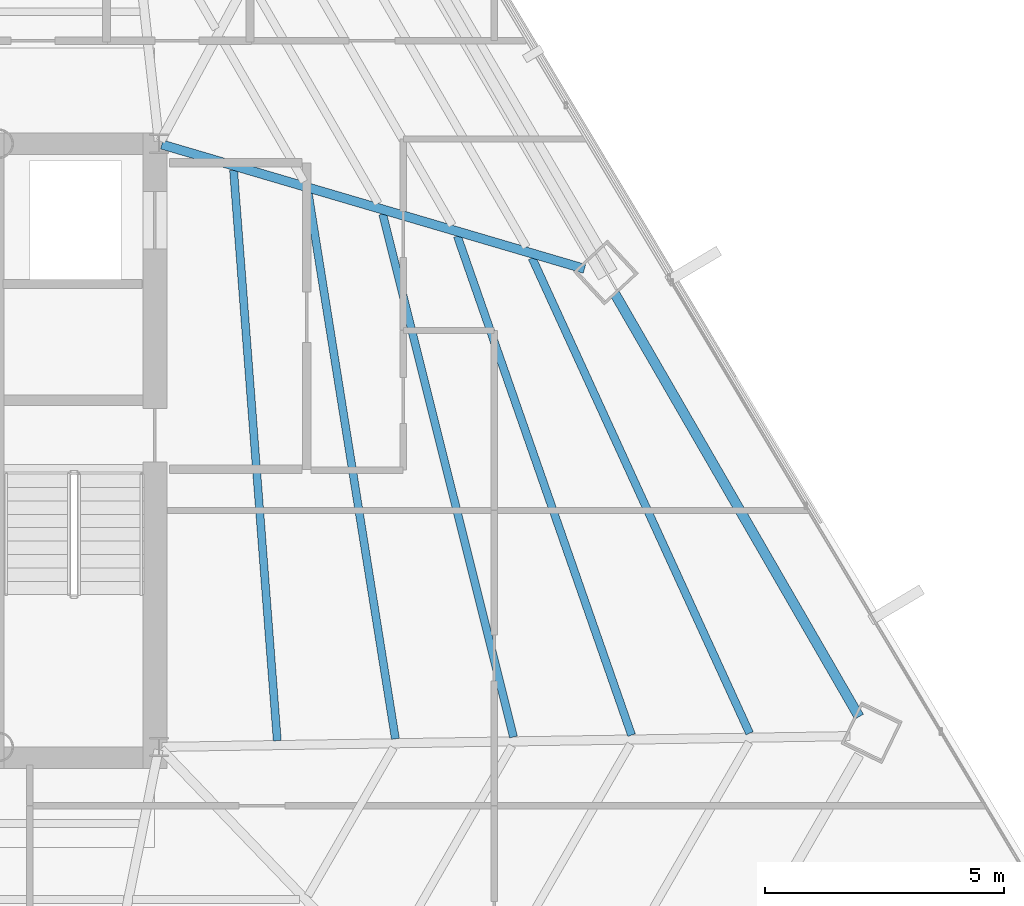
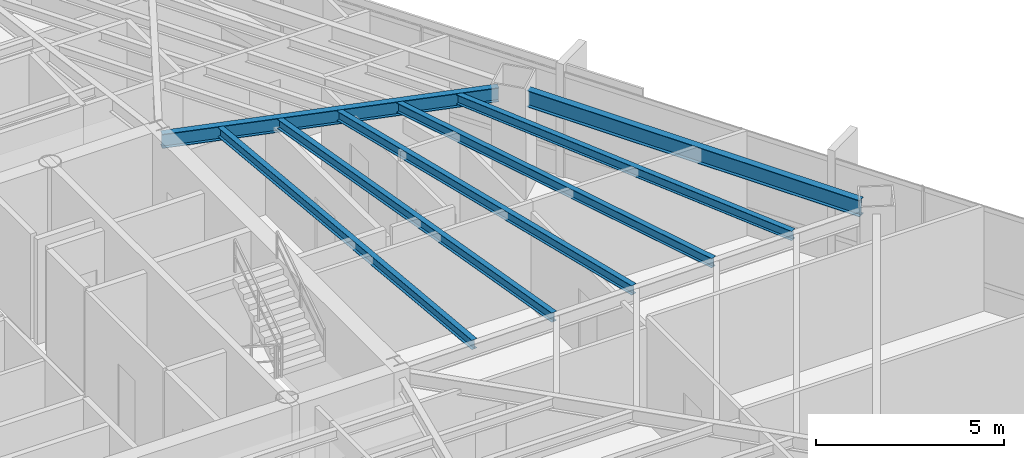
# One storey, part 21 of 40: 7 beams.
"""IFC4 building model written with IfcOpenShell, lengths in metres."""

from ifc_helpers import new_model, si_unit, direction, frame, origin, origin_2d, place, context, subcontext, project, spatial, i_section, extrude, source, transform, mapped, material, material_profile, profile_set, type_object, type_shapes, element, save


model = new_model("IFC4")

# Units and contexts
model_context = context("Model", 3, precision=1e-05, world=origin(), true_north=direction((0.0, 1.0)))
body_context = subcontext(model_context, "Body", "Model", "MODEL_VIEW")
ifc_project = project(units=[si_unit("LENGTHUNIT", "METRE"), si_unit("AREAUNIT", "SQUARE_METRE"), si_unit("VOLUMEUNIT", "CUBIC_METRE"), si_unit("PLANEANGLEUNIT", "RADIAN"), si_unit("MASSUNIT", "GRAM", prefix="KILO")], contexts=[model_context])

# Site, building, storey
site_placement = place(None, origin())
site = spatial("IfcSite", under=ifc_project, at=site_placement, CompositionType="ELEMENT")
building_placement = place(site_placement, origin())
building = spatial("IfcBuilding", under=site, at=building_placement, Name="Caelisora Broadcast Tower", CompositionType="ELEMENT")
storey_placement = place(building_placement, frame((0.0, 0.0, 176.75)))
storey = spatial("IfcBuildingStorey", under=building, at=storey_placement, Name="L46", CompositionType="ELEMENT", Elevation=176.75)

# Beams
ifc_material = material(Name="Steel Grade 350 (AS/NZS 3679.1)", Category="steel")
ifc_material_profile_1 = material_profile(ifc_material, i_section(OverallWidth=0.208984375, OverallDepth=0.532958984375, WebThickness=0.01025390625, FlangeThickness=0.015625, at=origin_2d()), Name="Steel Grade 350 (AS/NZS 3679.1)")
ifc_profile_set_1 = profile_set([ifc_material_profile_1], Name="Steel Grade 350 (AS/NZS 3679.1)")
beam_type_1 = type_object("IfcBeamType", Name="PG05", PredefinedType="BEAM", material=ifc_profile_set_1)
shared_shape_1 = source(origin(), body_context, "Body", "SweptSolid", [
    extrude(i_section(OverallWidth=0.208984375, OverallDepth=0.532958984375, WebThickness=0.01025390625, FlangeThickness=0.015625, at=origin_2d()), origin(), (0.0, 0.0, 1.0), 10.20654296875),
])
type_shapes(beam_type_1, [shared_shape_1])
beam_1_placement = place(storey_placement, frame((60.12158203125, 18.031005859375, 3.133544921875), z_axis=(-0.500000601062, 0.866025056761, 0.0), x_axis=(-0.866025056761, -0.500000601062, 0.0)))
element("IfcBeam", 1, at=beam_1_placement, inside=storey, type_object=beam_type_1, Name="L46 beam PG05", PredefinedType="BEAM", context=body_context, shape_type="MappedRepresentation", body=[
    mapped(shared_shape_1, transform((0.0, 0.0, 0.0), scale=1.0)),
])
ifc_material_profile_2 = material_profile(ifc_material, i_section(OverallWidth=0.19091796875, OverallDepth=0.46044921875, WebThickness=0.010009765625, FlangeThickness=0.01611328125, at=origin_2d()), Name="Steel Grade 350 (AS/NZS 3679.1)")
ifc_profile_set_2 = profile_set([ifc_material_profile_2], Name="Steel Grade 350 (AS/NZS 3679.1)")
beam_type_2 = type_object("IfcBeamType", Name="PG06", PredefinedType="BEAM", material=ifc_profile_set_2)
shared_shape_2 = source(origin(), body_context, "Body", "SweptSolid", [
    extrude(i_section(OverallWidth=0.19091796875, OverallDepth=0.46044921875, WebThickness=0.010009765625, FlangeThickness=0.01611328125, at=origin_2d()), origin(), (0.0, 0.0, 1.0), 9.20166015625),
])
type_shapes(beam_type_2, [shared_shape_2])
beam_2_placement = place(storey_placement, frame((45.5576171875, 29.983154296875, 3.169921875), z_axis=(0.959379864926, -0.282117483994, 0.0), x_axis=(0.282117483994, 0.959379864926, 0.0)))
element("IfcBeam", 2, at=beam_2_placement, inside=storey, type_object=beam_type_2, Name="L46 beam PG06", PredefinedType="BEAM", context=body_context, shape_type="MappedRepresentation", body=[
    mapped(shared_shape_2, transform((0.0, 0.0, 0.0), scale=1.0)),
])
ifc_material_profile_3 = material_profile(ifc_material, i_section(OverallWidth=0.166015625, OverallDepth=0.30712890625, WebThickness=0.006591796875, FlangeThickness=0.01171875, at=origin_2d()), Name="Steel Grade 350 (AS/NZS 3679.1)")
ifc_profile_set_3 = profile_set([ifc_material_profile_3], Name="Steel Grade 350 (AS/NZS 3679.1)")
beam_type_3 = type_object("IfcBeamType", Name="SB03", PredefinedType="JOIST", material=ifc_profile_set_3)
shared_shape_3 = source(origin(), body_context, "Body", "SweptSolid", [
    extrude(i_section(OverallWidth=0.166015625, OverallDepth=0.30712890625, WebThickness=0.006591796875, FlangeThickness=0.01171875, at=origin_2d()), origin(), (0.0, 0.0, 1.0), 11.94970703125),
])
beam_3_placement = place(storey_placement, frame((47.96826171875, 17.53125, 3.246337890625), z_axis=(-0.076369964082, 0.997079549778, 0.0), x_axis=(-0.997079549778, -0.076369964082, 0.0)))
element("IfcBeam", 3, at=beam_3_placement, inside=storey, type_object=beam_type_3, Name="L46 beam SB03", PredefinedType="JOIST", context=body_context, shape_type="MappedRepresentation", body=[
    mapped(shared_shape_3, transform((0.0, 0.0, 0.0), scale=1.0)),
])
shared_shape_4 = source(origin(), body_context, "Body", "SweptSolid", [
    extrude(i_section(OverallWidth=0.166015625, OverallDepth=0.30712890625, WebThickness=0.006591796875, FlangeThickness=0.01171875, at=origin_2d()), origin(), (0.0, 0.0, 1.0), 11.56298828125),
])
beam_4_placement = place(storey_placement, frame((50.435791015625, 17.56982421875, 3.246337890625), z_axis=(-0.157701451424, 0.987486836479, 0.0), x_axis=(-0.987486836479, -0.157701451424, 0.0)))
element("IfcBeam", 4, at=beam_4_placement, inside=storey, type_object=beam_type_3, Name="L46 beam SB03", PredefinedType="JOIST", context=body_context, shape_type="MappedRepresentation", body=[
    mapped(shared_shape_4, transform((0.0, 0.0, 0.0), scale=1.0)),
])
shared_shape_5 = source(origin(), body_context, "Body", "SweptSolid", [
    extrude(i_section(OverallWidth=0.166015625, OverallDepth=0.30712890625, WebThickness=0.006591796875, FlangeThickness=0.01171875, at=origin_2d()), origin(), (0.0, 0.0, 1.0), 11.258056640625),
])
beam_5_placement = place(storey_placement, frame((52.90283203125, 17.6083984375, 3.246337890625), z_axis=(-0.242709108727, 0.970099112741, 0.0), x_axis=(-0.970099112741, -0.242709108727, 0.0)))
element("IfcBeam", 5, at=beam_5_placement, inside=storey, type_object=beam_type_3, Name="L46 beam SB03", PredefinedType="JOIST", context=body_context, shape_type="MappedRepresentation", body=[
    mapped(shared_shape_5, transform((0.0, 0.0, 0.0), scale=1.0)),
])
shared_shape_6 = source(origin(), body_context, "Body", "SweptSolid", [
    extrude(i_section(OverallWidth=0.166015625, OverallDepth=0.30712890625, WebThickness=0.006591796875, FlangeThickness=0.01171875, at=origin_2d()), origin(), (0.0, 0.0, 1.0), 11.040771484375),
])
beam_6_placement = place(storey_placement, frame((55.368896484375, 17.647216796875, 3.246337890625), z_axis=(-0.329589916153, 0.944124190544, 0.0), x_axis=(-0.944124190544, -0.329589916153, 0.0)))
element("IfcBeam", 6, at=beam_6_placement, inside=storey, type_object=beam_type_3, Name="L46 beam SB03", PredefinedType="JOIST", context=body_context, shape_type="MappedRepresentation", body=[
    mapped(shared_shape_6, transform((0.0, 0.0, 0.0), scale=1.0)),
])
shared_shape_7 = source(origin(), body_context, "Body", "SweptSolid", [
    extrude(i_section(OverallWidth=0.166015625, OverallDepth=0.30712890625, WebThickness=0.006591796875, FlangeThickness=0.01171875, at=origin_2d()), origin(), (0.0, 0.0, 1.0), 10.916015625),
])
type_shapes(beam_type_3, [shared_shape_3, shared_shape_4, shared_shape_5, shared_shape_6, shared_shape_7])
beam_7_placement = place(storey_placement, frame((57.834228515625, 17.685791015625, 3.246337890625), z_axis=(-0.416155610576, 0.909293411274, 0.0), x_axis=(-0.909293411274, -0.416155610576, 0.0)))
element("IfcBeam", 7, at=beam_7_placement, inside=storey, type_object=beam_type_3, Name="L46 beam SB03", PredefinedType="JOIST", context=body_context, shape_type="MappedRepresentation", body=[
    mapped(shared_shape_7, transform((0.0, 0.0, 0.0), scale=1.0)),
])

save(model, "model.ifc")
